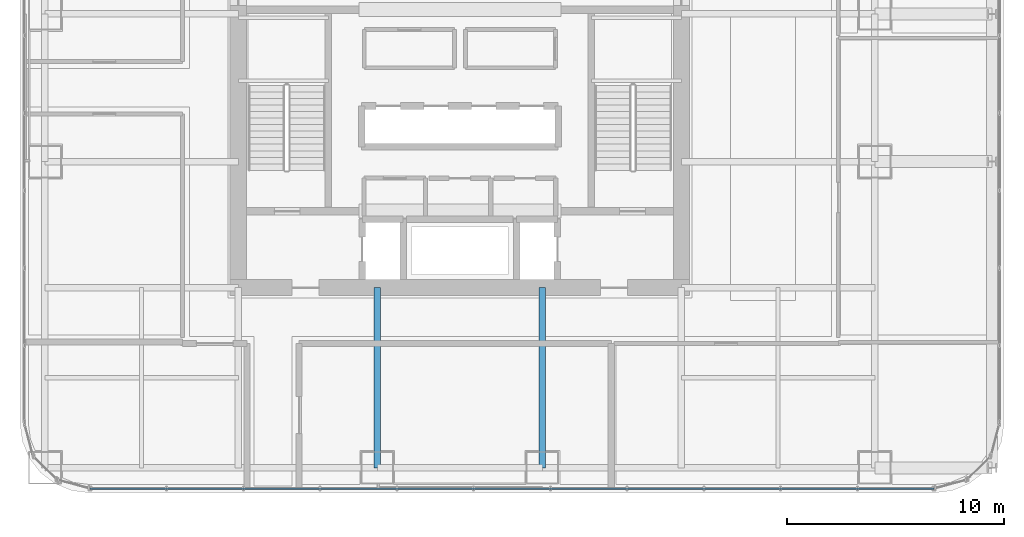
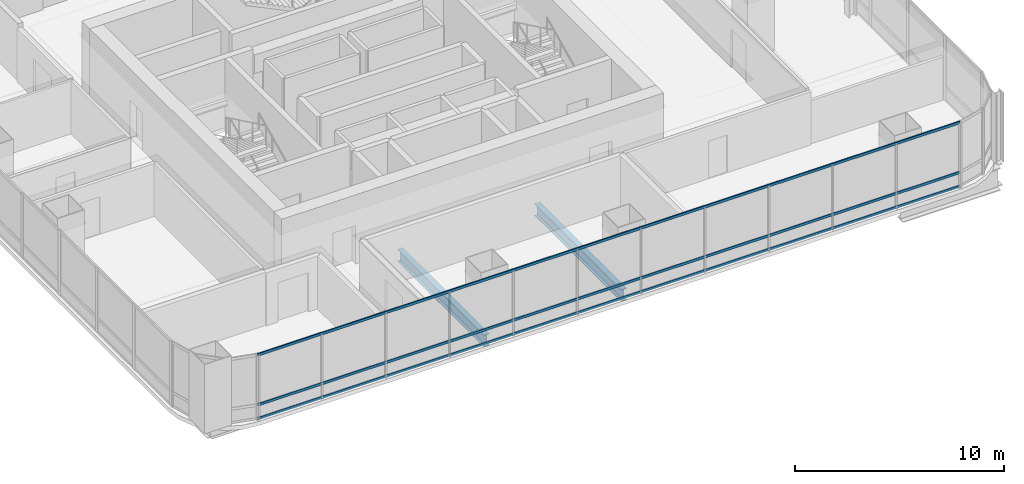
# One storey, part 6 of 34: 3 members, 2 beams, 1 element without a shape of its own.
"""IFC4 building model written with IfcOpenShell, lengths in metres."""

from ifc_helpers import new_model, si_unit, direction, frame, origin, origin_2d, place, context, subcontext, project, spatial, hollow_rectangle, i_section, extrude, material, material_profile, profile_set, type_object, element, aggregate, save


model = new_model("IFC4")

# Units and contexts
model_context = context("Model", 3, precision=1e-05, world=origin(), true_north=direction((0.0, 1.0)))
body_context = subcontext(model_context, "Body", "Model", "MODEL_VIEW")
ifc_project = project(units=[si_unit("LENGTHUNIT", "METRE"), si_unit("AREAUNIT", "SQUARE_METRE"), si_unit("VOLUMEUNIT", "CUBIC_METRE"), si_unit("PLANEANGLEUNIT", "RADIAN"), si_unit("MASSUNIT", "GRAM", prefix="KILO")], contexts=[model_context])

# Site, building, storey
site_placement = place(None, origin())
site = spatial("IfcSite", under=ifc_project, at=site_placement, CompositionType="ELEMENT")
building_placement = place(site_placement, origin())
building = spatial("IfcBuilding", under=site, at=building_placement, Name="Punatoya Terracotta Tower", CompositionType="ELEMENT")
storey_placement = place(building_placement, frame((0.0, 0.0, 97.050048828125)))
storey = spatial("IfcBuildingStorey", under=building, at=storey_placement, Name="L22", CompositionType="ELEMENT", Elevation=97.050048828125)

# Beams
ifc_material_1 = material(Name="Steel S355", Category="steel")
ifc_material_profile_1 = material_profile(ifc_material_1, i_section(OverallWidth=0.300048828125, OverallDepth=0.699951171875, WebThickness=0.01708984375, FlangeThickness=0.031982421875, FilletRadius=0.01806640625, at=origin_2d()))
ifc_profile_set_1 = profile_set([ifc_material_profile_1], Name="Steel S355")
beam_type = type_object("IfcBeamType", Name="BM-PRI-700", PredefinedType="BEAM", material=ifc_profile_set_1)
for number, where, z_axis, x_axis, name in (
    (1, (-3.800048828125, -17.5, -0.590087890625), (0.0, 1.0, 0.0), (-1.0, 0.0, 0.0), "BM-L22-PR-S2"),
    (2, (3.800048828125, -17.5, -0.590087890625), (0.0, 1.0, 0.0), (-1.0, 0.0, 0.0), "BM-L22-PR-S3"),
):
    element("IfcBeam", number, at=place(storey_placement, frame(where, z_axis=z_axis, x_axis=x_axis)), inside=storey, type_object=beam_type, Name=name, PredefinedType="BEAM", context=body_context, shape_type="SweptSolid", body=[
        extrude(i_section(OverallWidth=0.300048828125, OverallDepth=0.699951171875, WebThickness=0.01708984375, FlangeThickness=0.031982421875, FilletRadius=0.01806640625, at=origin_2d()), origin(), (0.0, 0.0, 1.0), 8.300048828125),
    ])

# Curtain wall, members
ifc_material_2 = material(Name="Aluminium 6063-T6 + Double Low-E Glass", Category="aluminium")
curtain_wall_type = type_object("IfcCurtainWallType", Name="CW-M1", PredefinedType="NOTDEFINED", material=ifc_material_2)
curtain_wall_placement = place(storey_placement, origin())
curtain_wall = element("IfcCurtainWall", 3, at=curtain_wall_placement, inside=storey, type_object=curtain_wall_type, Name="L22 Curtain Wall CW-L22-S01-1", PredefinedType="NOTDEFINED")
ifc_material_3 = material(Name="Aluminium 6063-T6", Category="aluminium")
ifc_material_profile_2 = material_profile(ifc_material_3, hollow_rectangle(XDim=0.068115234375, YDim=0.14990234375, WallThickness=0.00390625, at=origin_2d()))
ifc_profile_set_2 = profile_set([ifc_material_profile_2], Name="Aluminium 6063-T6")
member_type = type_object("IfcMemberType", Name="CW-TRN-TYP", PredefinedType="USERDEFINED", material=ifc_profile_set_2)
member_1_placement = place(storey_placement, frame((-17.036865234375, -18.449951171875, 0.0400390625), z_axis=(1.0, 0.0, 0.0), x_axis=(0.0, 1.0, 0.0)))
member_1 = element("IfcMember", 4, at=member_1_placement, type_object=member_type, Name="CW-L22-S01-1 Transom 1", ObjectType="TRANSOM", PredefinedType="USERDEFINED", context=body_context, shape_type="SweptSolid", body=[
    extrude(hollow_rectangle(XDim=0.068115234375, YDim=0.14990234375, WallThickness=0.00390625, at=origin_2d()), origin(), (0.0, 0.0, 1.0), 38.873779296875),
])
member_2_placement = place(storey_placement, frame((-17.036865234375, -18.449951171875, 0.849853515625), z_axis=(1.0, 0.0, 0.0), x_axis=(0.0, 1.0, 0.0)))
member_2 = element("IfcMember", 5, at=member_2_placement, type_object=member_type, Name="CW-L22-S01-1 Transom 2", ObjectType="TRANSOM", PredefinedType="USERDEFINED", context=body_context, shape_type="SweptSolid", body=[
    extrude(hollow_rectangle(XDim=0.068115234375, YDim=0.14990234375, WallThickness=0.00390625, at=origin_2d()), origin(), (0.0, 0.0, 1.0), 38.873779296875),
])
member_3_placement = place(storey_placement, frame((-17.036865234375, -18.449951171875, 3.77001953125), z_axis=(1.0, 0.0, 0.0), x_axis=(0.0, 1.0, 0.0)))
member_3 = element("IfcMember", 6, at=member_3_placement, type_object=member_type, Name="CW-L22-S01-1 Transom 3", ObjectType="TRANSOM", PredefinedType="USERDEFINED", context=body_context, shape_type="SweptSolid", body=[
    extrude(hollow_rectangle(XDim=0.068115234375, YDim=0.14990234375, WallThickness=0.00390625, at=origin_2d()), origin(), (0.0, 0.0, 1.0), 38.873779296875),
])
aggregate(curtain_wall, [member_1, member_2, member_3])

save(model, "model.ifc")
